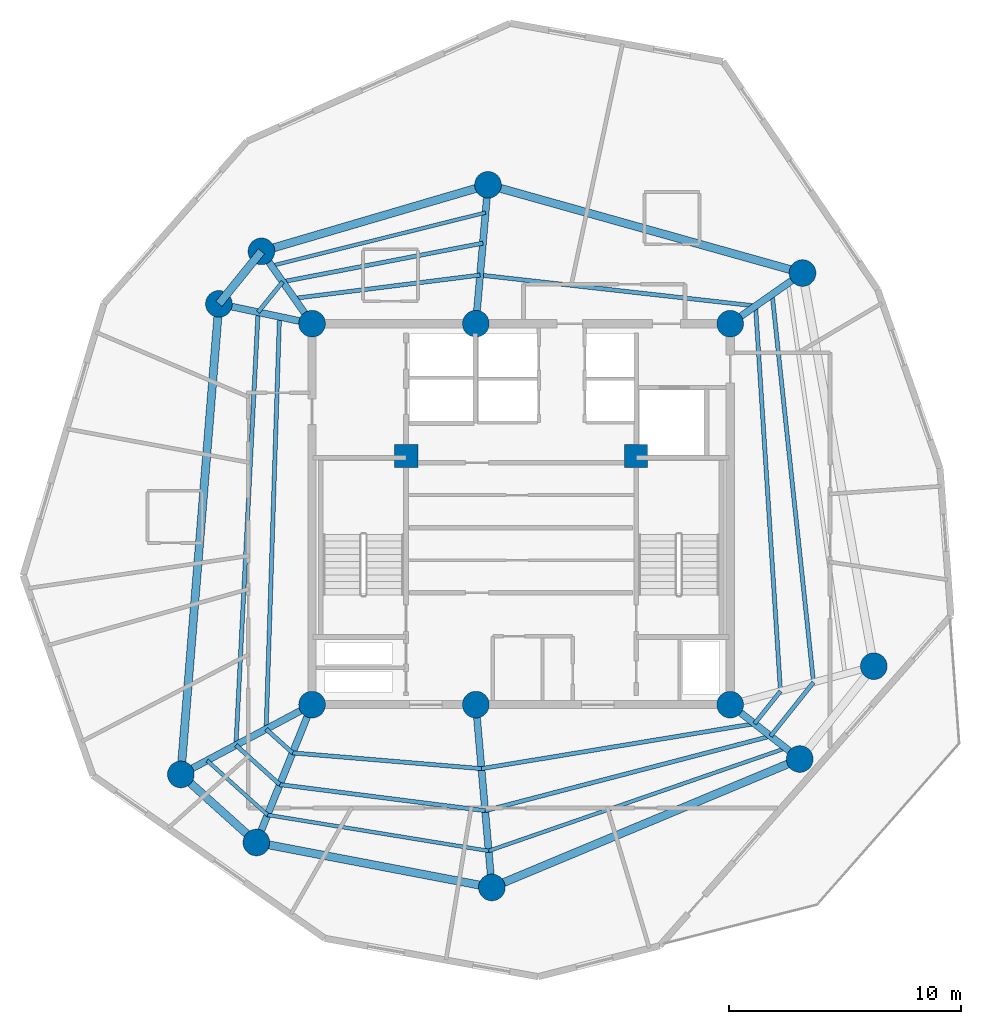
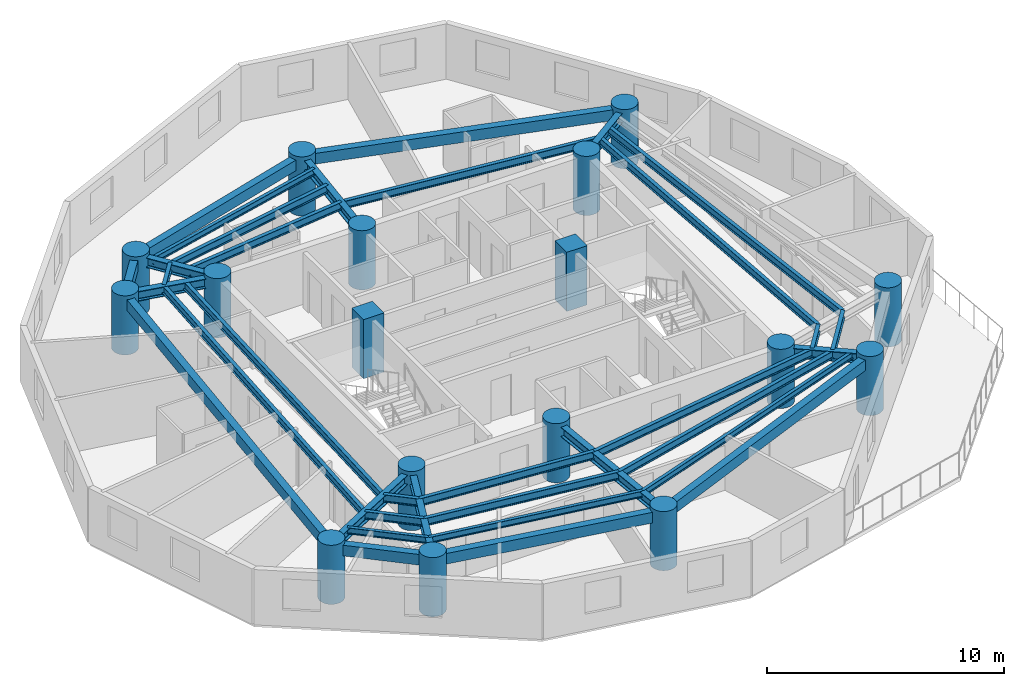
# One storey, part 1 of 7: 35 beams, 17 columns.
"""IFC4 building model written with IfcOpenShell, lengths in metres."""

from ifc_helpers import new_model, si_unit, direction, frame, origin, origin_with_axes, origin_2d, place, context, subcontext, project, spatial, rectangle, circle, i_section, extrude, source, transform, mapped, material, material_profile, profile_set, type_object, element, save


model = new_model("IFC4")

# Units and contexts
model_context = context("Model", 3, precision=1e-05, world=origin(), true_north=direction((0.0, 1.0)))
body_context = subcontext(model_context, "Body", "Model", "MODEL_VIEW")
ifc_project = project(units=[si_unit("LENGTHUNIT", "METRE"), si_unit("AREAUNIT", "SQUARE_METRE"), si_unit("VOLUMEUNIT", "CUBIC_METRE"), si_unit("PLANEANGLEUNIT", "RADIAN"), si_unit("MASSUNIT", "GRAM", prefix="KILO")], contexts=[model_context])

# Site, building, storey
site_placement = place(None, origin())
site = spatial("IfcSite", under=ifc_project, at=site_placement, CompositionType="ELEMENT")
building_placement = place(site_placement, origin())
building = spatial("IfcBuilding", under=site, at=building_placement, Name="Karkom Vertical University and Central Library", CompositionType="ELEMENT")
storey_placement = place(building_placement, frame((0.0, 0.0, 235.199951171875)))
storey = spatial("IfcBuildingStorey", under=building, at=storey_placement, Name="L69", CompositionType="ELEMENT", Elevation=235.199951171875)

# Columns
ifc_material_1 = material(Name="Concrete C50/60", Category="concrete")
ifc_material_profile_1 = material_profile(ifc_material_1, rectangle(XDim=1.0, YDim=1.0, at=origin_2d()), Name="RC-1000x1000")
ifc_profile_set_1 = profile_set([ifc_material_profile_1], Name="Concrete C50/60")
column_type_1 = type_object("IfcColumnType", Name="STR-COL-C-CC2", PredefinedType="COLUMN", material=ifc_profile_set_1)
shared_shape_1 = source(origin_with_axes(), body_context, "Body", "SweptSolid", [
    extrude(rectangle(XDim=1.0, YDim=1.0, at=origin_2d()), origin(), (0.0, 0.0, 1.0), 3.050048828125),
])
for number, where, z_axis, x_axis, name in (
    (1, (23.550048828125, 29.0, 0.0), (0.0, 0.0, 1.0), (1.0, 0.0, 0.0), "Level 69 Core Node Column CC-1"),
    (2, (33.449951171875, 29.0, 0.0), (0.0, 0.0, 1.0), (1.0, 0.0, 0.0), "Level 69 Core Node Column CC-2"),
):
    element("IfcColumn", number, at=place(storey_placement, frame(where, z_axis=z_axis, x_axis=x_axis)), inside=storey, type_object=column_type_1, Name=name, PredefinedType="COLUMN", context=body_context, shape_type="MappedRepresentation", body=[
        mapped(shared_shape_1, transform((0.0, 0.0, 0.0), scale=1.0)),
    ])
ifc_material_2 = material(Name="Concrete C45/55", Category="concrete")
ifc_material_profile_2 = material_profile(ifc_material_2, circle(Radius=0.574951171875, at=origin_2d()), Name="CFT-D1150")
ifc_profile_set_2 = profile_set([ifc_material_profile_2], Name="Concrete C45/55")
column_type_2 = type_object("IfcColumnType", Name="STR-COL-C-SC5", PredefinedType="COLUMN", material=ifc_profile_set_2)
shared_shape_2 = source(origin_with_axes(), body_context, "Body", "SweptSolid", [
    extrude(circle(Radius=0.574951171875, at=origin_2d()), origin(), (0.0, 0.0, 1.0), 3.050048828125),
])
for number, where, z_axis, x_axis, name in (
    (3, (19.5, 18.300048828125, 0.0), (0.0, 0.0, 1.0), (1.0, 0.0, 0.0), "Level 69 Spine Mega-Column SC-1"),
    (4, (26.550048828125, 18.300048828125, 0.0), (0.0, 0.0, 1.0), (1.0, 0.0, 0.0), "Level 69 Spine Mega-Column SC-2"),
    (5, (37.5, 18.300048828125, 0.0), (0.0, 0.0, 1.0), (1.0, 0.0, 0.0), "Level 69 Spine Mega-Column SC-3"),
    (6, (19.5, 34.699951171875, 0.0), (0.0, 0.0, 1.0), (1.0, 0.0, 0.0), "Level 69 Spine Mega-Column SC-4"),
    (7, (26.550048828125, 34.699951171875, 0.0), (0.0, 0.0, 1.0), (1.0, 0.0, 0.0), "Level 69 Spine Mega-Column SC-5"),
    (8, (37.5, 34.699951171875, 0.0), (0.0, 0.0, 1.0), (1.0, 0.0, 0.0), "Level 69 Spine Mega-Column SC-6"),
    (9, (43.681884765625, 19.9560546875, 0.0), (0.0, 0.0, 1.0), (1.0, 0.0, 0.0), "Level 69 Perimeter Mega-Column Z4-PC1"),
    (10, (40.613037109375, 36.8798828125, 0.0), (0.0, 0.0, 1.0), (1.0, 0.0, 0.0), "Level 69 Perimeter Mega-Column Z4-PC2"),
    (11, (27.072998046875, 40.677001953125, 0.0), (0.0, 0.0, 1.0), (1.0, 0.0, 0.0), "Level 69 Perimeter Mega-Column Z4-PC3"),
    (12, (17.320068359375, 37.81298828125, 0.0), (0.0, 0.0, 1.0), (1.0, 0.0, 0.0), "Level 69 Perimeter Mega-Column Z4-PC4"),
    (13, (15.489990234375, 35.552001953125, 0.0), (0.0, 0.0, 1.0), (1.0, 0.0, 0.0), "Level 69 Perimeter Mega-Column Z4-PC5"),
    (14, (13.84912109375, 15.294921875, 0.0), (0.0, 0.0, 1.0), (1.0, 0.0, 0.0), "Level 69 Perimeter Mega-Column Z4-PC6"),
    (15, (17.10302734375, 12.365966796875, 0.0), (0.0, 0.0, 1.0), (1.0, 0.0, 0.0), "Level 69 Perimeter Mega-Column Z4-PC7"),
    (16, (27.239013671875, 10.429931640625, 0.0), (0.0, 0.0, 1.0), (1.0, 0.0, 0.0), "Level 69 Perimeter Mega-Column Z4-PC8"),
    (17, (40.493896484375, 15.9599609375, 0.0), (0.0, 0.0, 1.0), (1.0, 0.0, 0.0), "Level 69 Perimeter Mega-Column Z4-PC9"),
):
    element("IfcColumn", number, at=place(storey_placement, frame(where, z_axis=z_axis, x_axis=x_axis)), inside=storey, type_object=column_type_2, Name=name, PredefinedType="COLUMN", context=body_context, shape_type="MappedRepresentation", body=[
        mapped(shared_shape_2, transform((0.0, 0.0, 0.0), scale=1.0)),
    ])

# Beams
ifc_material_3 = material(Name="Precast concrete C45/55", Category="concrete")
ifc_material_profile_3 = material_profile(ifc_material_3, rectangle(XDim=0.35009765625, YDim=0.550048828125, at=origin_2d()), Name="SPB-350x550")
ifc_profile_set_3 = profile_set([ifc_material_profile_3], Name="Precast concrete C45/55")
beam_type_1 = type_object("IfcBeamType", Name="STR-BM-SP-2", PredefinedType="SPANDREL", material=ifc_profile_set_3)
shared_shape_3 = source(origin_with_axes(), body_context, "Body", "SweptSolid", [
    extrude(rectangle(XDim=0.35009765625, YDim=0.550048828125, at=origin_2d()), origin(), (0.0, 0.0, 1.0), 14.0625),
])
beam_1_placement = place(storey_placement, frame((40.613037109375, 36.8798828125, 2.574951171875), z_axis=(-0.962854853531, 0.270019501207, 0.0), x_axis=(-0.270019501207, -0.962854853531, 0.0)))
element("IfcBeam", 18, at=beam_1_placement, inside=storey, type_object=beam_type_1, Name="Level 69 Perimeter Spandrel Beam 02", PredefinedType="SPANDREL", context=body_context, shape_type="MappedRepresentation", body=[
    mapped(shared_shape_3, transform((0.0, 0.0, 0.0), scale=1.0)),
])
shared_shape_4 = source(origin_with_axes(), body_context, "Body", "SweptSolid", [
    extrude(rectangle(XDim=0.35009765625, YDim=0.550048828125, at=origin_2d()), origin(), (0.0, 0.0, 1.0), 10.164794921875),
])
beam_2_placement = place(storey_placement, frame((27.072998046875, 40.677001953125, 2.574951171875), z_axis=(-0.959485124536, -0.281759286971, 0.0), x_axis=(0.281759286971, -0.959485124536, 0.0)))
element("IfcBeam", 19, at=beam_2_placement, inside=storey, type_object=beam_type_1, Name="Level 69 Perimeter Spandrel Beam 03", PredefinedType="SPANDREL", context=body_context, shape_type="MappedRepresentation", body=[
    mapped(shared_shape_4, transform((0.0, 0.0, 0.0), scale=1.0)),
])
shared_shape_5 = source(origin_with_axes(), body_context, "Body", "SweptSolid", [
    extrude(rectangle(XDim=0.35009765625, YDim=0.550048828125, at=origin_2d()), origin(), (0.0, 0.0, 1.0), 2.908935546875),
])
beam_3_placement = place(storey_placement, frame((17.320068359375, 37.81298828125, 2.574951171875), z_axis=(-0.629147523747, -0.777285914811, 0.0), x_axis=(0.777285914811, -0.629147523747, 0.0)))
element("IfcBeam", 20, at=beam_3_placement, inside=storey, type_object=beam_type_1, Name="Level 69 Perimeter Spandrel Beam 04", PredefinedType="SPANDREL", context=body_context, shape_type="MappedRepresentation", body=[
    mapped(shared_shape_5, transform((0.0, 0.0, 0.0), scale=1.0)),
])
shared_shape_6 = source(origin_with_axes(), body_context, "Body", "SweptSolid", [
    extrude(rectangle(XDim=0.35009765625, YDim=0.550048828125, at=origin_2d()), origin(), (0.0, 0.0, 1.0), 20.323486328125),
])
beam_4_placement = place(storey_placement, frame((15.489990234375, 35.552001953125, 2.574951171875), z_axis=(-0.080737811681, -0.996735373991, 0.0), x_axis=(0.996735373991, -0.080737811681, 0.0)))
element("IfcBeam", 21, at=beam_4_placement, inside=storey, type_object=beam_type_1, Name="Level 69 Perimeter Spandrel Beam 05", PredefinedType="SPANDREL", context=body_context, shape_type="MappedRepresentation", body=[
    mapped(shared_shape_6, transform((0.0, 0.0, 0.0), scale=1.0)),
])
shared_shape_7 = source(origin_with_axes(), body_context, "Body", "SweptSolid", [
    extrude(rectangle(XDim=0.35009765625, YDim=0.550048828125, at=origin_2d()), origin(), (0.0, 0.0, 1.0), 4.3779296875),
])
beam_5_placement = place(storey_placement, frame((13.84912109375, 15.294921875, 2.574951171875), z_axis=(0.743244232405, -0.669020187287, 0.0), x_axis=(0.669020187287, 0.743244232405, 0.0)))
element("IfcBeam", 22, at=beam_5_placement, inside=storey, type_object=beam_type_1, Name="Level 69 Perimeter Spandrel Beam 06", PredefinedType="SPANDREL", context=body_context, shape_type="MappedRepresentation", body=[
    mapped(shared_shape_7, transform((0.0, 0.0, 0.0), scale=1.0)),
])
shared_shape_8 = source(origin_with_axes(), body_context, "Body", "SweptSolid", [
    extrude(rectangle(XDim=0.35009765625, YDim=0.550048828125, at=origin_2d()), origin(), (0.0, 0.0, 1.0), 10.3193359375),
])
beam_6_placement = place(storey_placement, frame((17.10302734375, 12.365966796875, 2.574951171875), z_axis=(0.982242767385, -0.187614354249, 0.0), x_axis=(0.187614354249, 0.982242767385, 0.0)))
element("IfcBeam", 23, at=beam_6_placement, inside=storey, type_object=beam_type_1, Name="Level 69 Perimeter Spandrel Beam 07", PredefinedType="SPANDREL", context=body_context, shape_type="MappedRepresentation", body=[
    mapped(shared_shape_8, transform((0.0, 0.0, 0.0), scale=1.0)),
])
shared_shape_9 = source(origin_with_axes(), body_context, "Body", "SweptSolid", [
    extrude(rectangle(XDim=0.35009765625, YDim=0.550048828125, at=origin_2d()), origin(), (0.0, 0.0, 1.0), 14.3623046875),
])
beam_7_placement = place(storey_placement, frame((27.239013671875, 10.429931640625, 2.574951171875), z_axis=(0.922899796194, 0.385040213725, 0.0), x_axis=(-0.385040213725, 0.922899796194, 0.0)))
element("IfcBeam", 24, at=beam_7_placement, inside=storey, type_object=beam_type_1, Name="Level 69 Perimeter Spandrel Beam 08", PredefinedType="SPANDREL", context=body_context, shape_type="MappedRepresentation", body=[
    mapped(shared_shape_9, transform((0.0, 0.0, 0.0), scale=1.0)),
])
ifc_material_4 = material(Name="Steel S355", Category="steel")
ifc_material_profile_4 = material_profile(ifc_material_4, i_section(OverallWidth=0.179931640625, OverallDepth=0.39990234375, WebThickness=0.008544921875, FlangeThickness=0.013427734375, FilletRadius=0.02099609375, at=origin_2d()), Name="IPE 400")
ifc_profile_set_4 = profile_set([ifc_material_profile_4], Name="Steel S355")
beam_type_2 = type_object("IfcBeamType", Name="STR-BM-SB-IPE400", PredefinedType="BEAM", material=ifc_profile_set_4)
shared_shape_10 = source(origin_with_axes(), body_context, "Body", "SweptSolid", [
    extrude(i_section(OverallWidth=0.179931640625, OverallDepth=0.39990234375, WebThickness=0.008544921875, FlangeThickness=0.013427734375, FilletRadius=0.02099609375, at=origin_2d()), origin(), (0.0, 0.0, 1.0), 16.617919921875),
])
beam_8_placement = place(storey_placement, frame((39.663818359375, 18.879638671875, 2.650146484375), z_axis=(-0.064641848008, 0.997908528617, 0.0), x_axis=(-0.997908528617, -0.064641848008, 0.0)))
element("IfcBeam", 25, at=beam_8_placement, inside=storey, type_object=beam_type_2, Name="Level 69 Secondary Composite Floor Beam 1.01", PredefinedType="BEAM", context=body_context, shape_type="MappedRepresentation", body=[
    mapped(shared_shape_10, transform((0.0, 0.0, 0.0), scale=1.0)),
])
shared_shape_11 = source(origin_with_axes(), body_context, "Body", "SweptSolid", [
    extrude(i_section(OverallWidth=0.179931640625, OverallDepth=0.39990234375, WebThickness=0.008544921875, FlangeThickness=0.013427734375, FilletRadius=0.02099609375, at=origin_2d()), origin(), (0.0, 0.0, 1.0), 11.9306640625),
])
beam_9_placement = place(storey_placement, frame((38.589599609375, 35.462890625, 2.650146484375), z_axis=(-0.993775454886, 0.11140172919, 0.0), x_axis=(-0.11140172919, -0.993775454886, 0.0)))
element("IfcBeam", 26, at=beam_9_placement, inside=storey, type_object=beam_type_2, Name="Level 69 Secondary Composite Floor Beam 1.02", PredefinedType="BEAM", context=body_context, shape_type="MappedRepresentation", body=[
    mapped(shared_shape_11, transform((0.0, 0.0, 0.0), scale=1.0)),
])
shared_shape_12 = source(origin_with_axes(), body_context, "Body", "SweptSolid", [
    extrude(i_section(OverallWidth=0.179931640625, OverallDepth=0.39990234375, WebThickness=0.008544921875, FlangeThickness=0.013427734375, FilletRadius=0.02099609375, at=origin_2d()), origin(), (0.0, 0.0, 1.0), 8.05859375),
])
beam_10_placement = place(storey_placement, frame((26.733154296875, 36.7919921875, 2.650146484375), z_axis=(-0.99223306826, -0.124392677646, 0.0), x_axis=(0.124392677646, -0.99223306826, 0.0)))
element("IfcBeam", 27, at=beam_10_placement, inside=storey, type_object=beam_type_2, Name="Level 69 Secondary Composite Floor Beam 1.03", PredefinedType="BEAM", context=body_context, shape_type="MappedRepresentation", body=[
    mapped(shared_shape_12, transform((0.0, 0.0, 0.0), scale=1.0)),
])
shared_shape_13 = source(origin_with_axes(), body_context, "Body", "SweptSolid", [
    extrude(i_section(OverallWidth=0.179931640625, OverallDepth=0.39990234375, WebThickness=0.008544921875, FlangeThickness=0.013427734375, FilletRadius=0.02099609375, at=origin_2d()), origin(), (0.0, 0.0, 1.0), 17.75927734375),
])
beam_11_placement = place(storey_placement, frame((18.096435546875, 34.998291015625, 2.650146484375), z_axis=(-0.032333437334, -0.999477137723, 0.0), x_axis=(0.999477137723, -0.032333437334, 0.0)))
element("IfcBeam", 28, at=beam_11_placement, inside=storey, type_object=beam_type_2, Name="Level 69 Secondary Composite Floor Beam 1.05", PredefinedType="BEAM", context=body_context, shape_type="MappedRepresentation", body=[
    mapped(shared_shape_13, transform((0.0, 0.0, 0.0), scale=1.0)),
])
shared_shape_14 = source(origin_with_axes(), body_context, "Body", "SweptSolid", [
    extrude(i_section(OverallWidth=0.179931640625, OverallDepth=0.39990234375, WebThickness=0.008544921875, FlangeThickness=0.013427734375, FilletRadius=0.02099609375, at=origin_2d()), origin(), (0.0, 0.0, 1.0), 1.5322265625),
])
beam_12_placement = place(storey_placement, frame((17.522216796875, 17.248291015625, 2.650146484375), z_axis=(0.743183211059, -0.669087972392, 0.0), x_axis=(0.669087972392, 0.743183211059, 0.0)))
element("IfcBeam", 29, at=beam_12_placement, inside=storey, type_object=beam_type_2, Name="Level 69 Secondary Composite Floor Beam 1.06", PredefinedType="BEAM", context=body_context, shape_type="MappedRepresentation", body=[
    mapped(shared_shape_14, transform((0.0, 0.0, 0.0), scale=1.0)),
])
shared_shape_15 = source(origin_with_axes(), body_context, "Body", "SweptSolid", [
    extrude(i_section(OverallWidth=0.179931640625, OverallDepth=0.39990234375, WebThickness=0.008544921875, FlangeThickness=0.013427734375, FilletRadius=0.02099609375, at=origin_2d()), origin(), (0.0, 0.0, 1.0), 8.15869140625),
])
beam_13_placement = place(storey_placement, frame((18.660888671875, 16.22314453125, 2.650146484375), z_axis=(0.996543694183, -0.083070244882, 0.0), x_axis=(0.083070244882, 0.996543694183, 0.0)))
element("IfcBeam", 30, at=beam_13_placement, inside=storey, type_object=beam_type_2, Name="Level 69 Secondary Composite Floor Beam 1.07", PredefinedType="BEAM", context=body_context, shape_type="MappedRepresentation", body=[
    mapped(shared_shape_15, transform((0.0, 0.0, 0.0), scale=1.0)),
])
shared_shape_16 = source(origin_with_axes(), body_context, "Body", "SweptSolid", [
    extrude(i_section(OverallWidth=0.179931640625, OverallDepth=0.39990234375, WebThickness=0.008544921875, FlangeThickness=0.013427734375, FilletRadius=0.02099609375, at=origin_2d()), origin(), (0.0, 0.0, 1.0), 11.914794921875),
])
beam_14_placement = place(storey_placement, frame((26.791259765625, 15.54541015625, 2.650146484375), z_axis=(0.986717073469, 0.162448197663, 0.0), x_axis=(-0.162448197663, 0.986717073469, 0.0)))
element("IfcBeam", 31, at=beam_14_placement, inside=storey, type_object=beam_type_2, Name="Level 69 Secondary Composite Floor Beam 1.08", PredefinedType="BEAM", context=body_context, shape_type="MappedRepresentation", body=[
    mapped(shared_shape_16, transform((0.0, 0.0, 0.0), scale=1.0)),
])
shared_shape_17 = source(origin_with_axes(), body_context, "Body", "SweptSolid", [
    extrude(i_section(OverallWidth=0.179931640625, OverallDepth=0.39990234375, WebThickness=0.008544921875, FlangeThickness=0.013427734375, FilletRadius=0.02099609375, at=origin_2d()), origin(), (0.0, 0.0, 1.0), 1.789306640625),
])
beam_15_placement = place(storey_placement, frame((38.5478515625, 17.48095703125, 2.650146484375), z_axis=(0.623679519349, 0.781680150154, 0.0), x_axis=(-0.781680150154, 0.623679519349, 0.0)))
element("IfcBeam", 32, at=beam_15_placement, inside=storey, type_object=beam_type_2, Name="Level 69 Secondary Composite Floor Beam 1.09", PredefinedType="BEAM", context=body_context, shape_type="MappedRepresentation", body=[
    mapped(shared_shape_17, transform((0.0, 0.0, 0.0), scale=1.0)),
])
shared_shape_18 = source(origin_with_axes(), body_context, "Body", "SweptSolid", [
    extrude(i_section(OverallWidth=0.179931640625, OverallDepth=0.39990234375, WebThickness=0.008544921875, FlangeThickness=0.013427734375, FilletRadius=0.02099609375, at=origin_2d()), origin(), (0.0, 0.0, 1.0), 16.79833984375),
])
beam_16_placement = place(storey_placement, frame((41.085693359375, 19.260498046875, 2.650146484375), z_axis=(-0.105978377704, 0.994368434464, 0.0), x_axis=(-0.994368434464, -0.105978377704, 0.0)))
element("IfcBeam", 33, at=beam_16_placement, inside=storey, type_object=beam_type_2, Name="Level 69 Secondary Composite Floor Beam 2.01", PredefinedType="BEAM", context=body_context, shape_type="MappedRepresentation", body=[
    mapped(shared_shape_18, transform((0.0, 0.0, 0.0), scale=1.0)),
])
shared_shape_19 = source(origin_with_axes(), body_context, "Body", "SweptSolid", [
    extrude(i_section(OverallWidth=0.179931640625, OverallDepth=0.39990234375, WebThickness=0.008544921875, FlangeThickness=0.013427734375, FilletRadius=0.02099609375, at=origin_2d()), origin(), (0.0, 0.0, 1.0), 8.7763671875),
])
beam_17_placement = place(storey_placement, frame((26.853271484375, 38.166748046875, 2.650146484375), z_axis=(-0.981924209256, -0.189274528862, 0.0), x_axis=(0.189274528862, -0.981924209256, 0.0)))
element("IfcBeam", 34, at=beam_17_placement, inside=storey, type_object=beam_type_2, Name="Level 69 Secondary Composite Floor Beam 2.03", PredefinedType="BEAM", context=body_context, shape_type="MappedRepresentation", body=[
    mapped(shared_shape_19, transform((0.0, 0.0, 0.0), scale=1.0)),
])
shared_shape_20 = source(origin_with_axes(), body_context, "Body", "SweptSolid", [
    extrude(i_section(OverallWidth=0.179931640625, OverallDepth=0.39990234375, WebThickness=0.008544921875, FlangeThickness=0.013427734375, FilletRadius=0.02099609375, at=origin_2d()), origin(), (0.0, 0.0, 1.0), 1.68701171875),
])
beam_18_placement = place(storey_placement, frame((18.235595703125, 36.505615234375, 2.650146484375), z_axis=(-0.629044191861, -0.777369541908, 0.0), x_axis=(0.777369541908, -0.629044191861, 0.0)))
element("IfcBeam", 35, at=beam_18_placement, inside=storey, type_object=beam_type_2, Name="Level 69 Secondary Composite Floor Beam 2.04", PredefinedType="BEAM", context=body_context, shape_type="MappedRepresentation", body=[
    mapped(shared_shape_20, transform((0.0, 0.0, 0.0), scale=1.0)),
])
shared_shape_21 = source(origin_with_axes(), body_context, "Body", "SweptSolid", [
    extrude(i_section(OverallWidth=0.179931640625, OverallDepth=0.39990234375, WebThickness=0.008544921875, FlangeThickness=0.013427734375, FilletRadius=0.02099609375, at=origin_2d()), origin(), (0.0, 0.0, 1.0), 18.661376953125),
])
beam_19_placement = place(storey_placement, frame((17.17431640625, 35.194091796875, 2.650146484375), z_axis=(-0.051009656211, -0.998698160093, 0.0), x_axis=(0.998698160093, -0.051009656211, 0.0)))
element("IfcBeam", 36, at=beam_19_placement, inside=storey, type_object=beam_type_2, Name="Level 69 Secondary Composite Floor Beam 2.05", PredefinedType="BEAM", context=body_context, shape_type="MappedRepresentation", body=[
    mapped(shared_shape_21, transform((0.0, 0.0, 0.0), scale=1.0)),
])
shared_shape_22 = source(origin_with_axes(), body_context, "Body", "SweptSolid", [
    extrude(i_section(OverallWidth=0.179931640625, OverallDepth=0.39990234375, WebThickness=0.008544921875, FlangeThickness=0.013427734375, FilletRadius=0.02099609375, at=origin_2d()), origin(), (0.0, 0.0, 1.0), 2.5390625),
])
beam_20_placement = place(storey_placement, frame((16.222412109375, 16.55712890625, 2.650146484375), z_axis=(0.743246334517, -0.669017851949, 0.0), x_axis=(0.669017851949, 0.743246334517, 0.0)))
element("IfcBeam", 37, at=beam_20_placement, inside=storey, type_object=beam_type_2, Name="Level 69 Secondary Composite Floor Beam 2.06", PredefinedType="BEAM", context=body_context, shape_type="MappedRepresentation", body=[
    mapped(shared_shape_22, transform((0.0, 0.0, 0.0), scale=1.0)),
])
shared_shape_23 = source(origin_with_axes(), body_context, "Body", "SweptSolid", [
    extrude(i_section(OverallWidth=0.179931640625, OverallDepth=0.39990234375, WebThickness=0.008544921875, FlangeThickness=0.013427734375, FilletRadius=0.02099609375, at=origin_2d()), origin(), (0.0, 0.0, 1.0), 8.9111328125),
])
beam_21_placement = place(storey_placement, frame((18.109619140625, 14.8583984375, 2.650146484375), z_axis=(0.992026771403, -0.126027317751, 0.0), x_axis=(0.126027317751, 0.992026771403, 0.0)))
element("IfcBeam", 38, at=beam_21_placement, inside=storey, type_object=beam_type_2, Name="Level 69 Secondary Composite Floor Beam 2.07", PredefinedType="BEAM", context=body_context, shape_type="MappedRepresentation", body=[
    mapped(shared_shape_23, transform((0.0, 0.0, 0.0), scale=1.0)),
])
shared_shape_24 = source(origin_with_axes(), body_context, "Body", "SweptSolid", [
    extrude(i_section(OverallWidth=0.179931640625, OverallDepth=0.39990234375, WebThickness=0.008544921875, FlangeThickness=0.013427734375, FilletRadius=0.02099609375, at=origin_2d()), origin(), (0.0, 0.0, 1.0), 12.69873046875),
])
beam_22_placement = place(storey_placement, frame((26.94970703125, 13.7353515625, 2.650146484375), z_axis=(0.967573974729, 0.252587813301, 0.0), x_axis=(-0.252587813301, 0.967573974729, 0.0)))
element("IfcBeam", 39, at=beam_22_placement, inside=storey, type_object=beam_type_2, Name="Level 69 Secondary Composite Floor Beam 2.08", PredefinedType="BEAM", context=body_context, shape_type="MappedRepresentation", body=[
    mapped(shared_shape_24, transform((0.0, 0.0, 0.0), scale=1.0)),
])
shared_shape_25 = source(origin_with_axes(), body_context, "Body", "SweptSolid", [
    extrude(i_section(OverallWidth=0.179931640625, OverallDepth=0.39990234375, WebThickness=0.008544921875, FlangeThickness=0.013427734375, FilletRadius=0.02099609375, at=origin_2d()), origin(), (0.0, 0.0, 1.0), 2.96484375),
])
beam_23_placement = place(storey_placement, frame((39.236572265625, 16.94287109375, 2.650146484375), z_axis=(0.623670236397, 0.781687556657, 0.0), x_axis=(-0.781687556657, 0.623670236397, 0.0)))
element("IfcBeam", 40, at=beam_23_placement, inside=storey, type_object=beam_type_2, Name="Level 69 Secondary Composite Floor Beam 2.09", PredefinedType="BEAM", context=body_context, shape_type="MappedRepresentation", body=[
    mapped(shared_shape_25, transform((0.0, 0.0, 0.0), scale=1.0)),
])
ifc_material_profile_5 = material_profile(ifc_material_4, i_section(OverallWidth=0.159912109375, OverallDepth=0.330078125, WebThickness=0.007568359375, FlangeThickness=0.011474609375, FilletRadius=0.01806640625, at=origin_2d()), Name="IPE 330")
ifc_profile_set_5 = profile_set([ifc_material_profile_5], Name="Steel S355")
beam_type_3 = type_object("IfcBeamType", Name="STR-BM-SB-IPE330", PredefinedType="BEAM", material=ifc_profile_set_5)
shared_shape_26 = source(origin_with_axes(), body_context, "Body", "SweptSolid", [
    extrude(i_section(OverallWidth=0.159912109375, OverallDepth=0.330078125, WebThickness=0.007568359375, FlangeThickness=0.011474609375, FilletRadius=0.01806640625, at=origin_2d()), origin(), (0.0, 0.0, 1.0), 9.4931640625),
])
beam_24_placement = place(storey_placement, frame((26.968505859375, 39.481689453125, 2.68505859375), z_axis=(-0.970435275293, -0.241361505767, 0.0), x_axis=(0.241361505767, -0.970435275293, 0.0)))
element("IfcBeam", 41, at=beam_24_placement, inside=storey, type_object=beam_type_3, Name="Level 69 Secondary Composite Floor Beam 3.03", PredefinedType="BEAM", context=body_context, shape_type="MappedRepresentation", body=[
    mapped(shared_shape_26, transform((0.0, 0.0, 0.0), scale=1.0)),
])
shared_shape_27 = source(origin_with_axes(), body_context, "Body", "SweptSolid", [
    extrude(i_section(OverallWidth=0.159912109375, OverallDepth=0.330078125, WebThickness=0.007568359375, FlangeThickness=0.011474609375, FilletRadius=0.01806640625, at=origin_2d()), origin(), (0.0, 0.0, 1.0), 3.50244140625),
])
beam_25_placement = place(storey_placement, frame((14.979248046875, 15.89599609375, 2.68505859375), z_axis=(0.743249087562, -0.669014793437, 0.0), x_axis=(0.669014793437, 0.743249087562, 0.0)))
element("IfcBeam", 42, at=beam_25_placement, inside=storey, type_object=beam_type_3, Name="Level 69 Secondary Composite Floor Beam 3.06", PredefinedType="BEAM", context=body_context, shape_type="MappedRepresentation", body=[
    mapped(shared_shape_27, transform((0.0, 0.0, 0.0), scale=1.0)),
])
shared_shape_28 = source(origin_with_axes(), body_context, "Body", "SweptSolid", [
    extrude(i_section(OverallWidth=0.159912109375, OverallDepth=0.330078125, WebThickness=0.007568359375, FlangeThickness=0.011474609375, FilletRadius=0.01806640625, at=origin_2d()), origin(), (0.0, 0.0, 1.0), 9.64404296875),
])
beam_26_placement = place(storey_placement, frame((17.58251953125, 13.552734375, 2.68505859375), z_axis=(0.987019497924, -0.160600469231, 0.0), x_axis=(0.160600469231, 0.987019497924, 0.0)))
element("IfcBeam", 43, at=beam_26_placement, inside=storey, type_object=beam_type_3, Name="Level 69 Secondary Composite Floor Beam 3.07", PredefinedType="BEAM", context=body_context, shape_type="MappedRepresentation", body=[
    mapped(shared_shape_28, transform((0.0, 0.0, 0.0), scale=1.0)),
])
shared_shape_29 = source(origin_with_axes(), body_context, "Body", "SweptSolid", [
    extrude(i_section(OverallWidth=0.159912109375, OverallDepth=0.330078125, WebThickness=0.007568359375, FlangeThickness=0.011474609375, FilletRadius=0.01806640625, at=origin_2d()), origin(), (0.0, 0.0, 1.0), 13.537353515625),
])
beam_27_placement = place(storey_placement, frame((27.101318359375, 12.00390625, 2.68505859375), z_axis=(0.945091088216, 0.32680703018, 0.0), x_axis=(-0.32680703018, 0.945091088216, 0.0)))
element("IfcBeam", 44, at=beam_27_placement, inside=storey, type_object=beam_type_3, Name="Level 69 Secondary Composite Floor Beam 3.08", PredefinedType="BEAM", context=body_context, shape_type="MappedRepresentation", body=[
    mapped(shared_shape_29, transform((0.0, 0.0, 0.0), scale=1.0)),
])
ifc_material_profile_6 = material_profile(ifc_material_4, i_section(OverallWidth=0.300048828125, OverallDepth=0.5, WebThickness=0.014404296875, FlangeThickness=0.028076171875, FilletRadius=0.027099609375, at=origin_2d()), Name="HE 500 B")
ifc_profile_set_6 = profile_set([ifc_material_profile_6], Name="Steel S355")
beam_type_4 = type_object("IfcBeamType", Name="STR-BM-SB-HE500", PredefinedType="USERDEFINED", material=ifc_profile_set_6)
shared_shape_30 = source(origin_with_axes(), body_context, "Body", "SweptSolid", [
    extrude(i_section(OverallWidth=0.300048828125, OverallDepth=0.5, WebThickness=0.014404296875, FlangeThickness=0.028076171875, FilletRadius=0.027099609375, at=origin_2d()), origin(), (0.0, 0.0, 1.0), 6.39990234375),
])
beam_28_placement = place(storey_placement, frame((19.5, 18.300048828125, 2.60009765625), z_axis=(-0.374532429749, -0.927213815183, 0.0), x_axis=(0.927213815183, -0.374532429749, 0.0)))
element("IfcBeam", 45, at=beam_28_placement, inside=storey, type_object=beam_type_4, Name="Level 69 Radial Frame Girder 07", ObjectType="GIRDER", PredefinedType="USERDEFINED", context=body_context, shape_type="MappedRepresentation", body=[
    mapped(shared_shape_30, transform((0.0, 0.0, 0.0), scale=1.0)),
])
shared_shape_31 = source(origin_with_axes(), body_context, "Body", "SweptSolid", [
    extrude(i_section(OverallWidth=0.300048828125, OverallDepth=0.5, WebThickness=0.014404296875, FlangeThickness=0.028076171875, FilletRadius=0.027099609375, at=origin_2d()), origin(), (0.0, 0.0, 1.0), 3.80029296875),
])
for number, where, z_axis, x_axis, name in (
    (46, (37.5, 34.699951171875, 2.60009765625), (0.819132313625, 0.573604613627, 0.0), (-0.573604613627, 0.819132313625, 0.0), "Level 69 Radial Frame Girder 02"),
    (47, (19.5, 34.699951171875, 2.60009765625), (-0.573604613627, 0.819132313625, 0.0), (-0.819132313625, -0.573604613627, 0.0), "Level 69 Radial Frame Girder 04"),
):
    element("IfcBeam", number, at=place(storey_placement, frame(where, z_axis=z_axis, x_axis=x_axis)), inside=storey, type_object=beam_type_4, Name=name, ObjectType="GIRDER", PredefinedType="USERDEFINED", context=body_context, shape_type="MappedRepresentation", body=[
        mapped(shared_shape_31, transform((0.0, 0.0, 0.0), scale=1.0)),
    ])
shared_shape_32 = source(origin_with_axes(), body_context, "Body", "SweptSolid", [
    extrude(i_section(OverallWidth=0.300048828125, OverallDepth=0.5, WebThickness=0.014404296875, FlangeThickness=0.028076171875, FilletRadius=0.027099609375, at=origin_2d()), origin(), (0.0, 0.0, 1.0), 6.0),
])
beam_29_placement = place(storey_placement, frame((26.550048828125, 34.699951171875, 2.60009765625), z_axis=(0.087159883478, 0.996194335816, 0.0), x_axis=(-0.996194335816, 0.087159883478, 0.0)))
element("IfcBeam", 48, at=beam_29_placement, inside=storey, type_object=beam_type_4, Name="Level 69 Radial Frame Girder 03", ObjectType="GIRDER", PredefinedType="USERDEFINED", context=body_context, shape_type="MappedRepresentation", body=[
    mapped(shared_shape_32, transform((0.0, 0.0, 0.0), scale=1.0)),
])
shared_shape_33 = source(origin_with_axes(), body_context, "Body", "SweptSolid", [
    extrude(i_section(OverallWidth=0.300048828125, OverallDepth=0.5, WebThickness=0.014404296875, FlangeThickness=0.028076171875, FilletRadius=0.027099609375, at=origin_2d()), origin(), (0.0, 0.0, 1.0), 4.099609375),
])
beam_30_placement = place(storey_placement, frame((19.5, 34.699951171875, 2.60009765625), z_axis=(-0.978162634602, 0.207840949453, 0.0), x_axis=(-0.207840949453, -0.978162634602, 0.0)))
element("IfcBeam", 49, at=beam_30_placement, inside=storey, type_object=beam_type_4, Name="Level 69 Radial Frame Girder 05", ObjectType="GIRDER", PredefinedType="USERDEFINED", context=body_context, shape_type="MappedRepresentation", body=[
    mapped(shared_shape_33, transform((0.0, 0.0, 0.0), scale=1.0)),
])
shared_shape_34 = source(origin_with_axes(), body_context, "Body", "SweptSolid", [
    extrude(i_section(OverallWidth=0.300048828125, OverallDepth=0.5, WebThickness=0.014404296875, FlangeThickness=0.028076171875, FilletRadius=0.027099609375, at=origin_2d()), origin(), (0.0, 0.0, 1.0), 6.400146484375),
])
beam_31_placement = place(storey_placement, frame((19.5, 18.300048828125, 2.60009765625), z_axis=(-0.882915120857, -0.469532628645, 0.0), x_axis=(0.469532628645, -0.882915120857, 0.0)))
element("IfcBeam", 50, at=beam_31_placement, inside=storey, type_object=beam_type_4, Name="Level 69 Radial Frame Girder 06", ObjectType="GIRDER", PredefinedType="USERDEFINED", context=body_context, shape_type="MappedRepresentation", body=[
    mapped(shared_shape_34, transform((0.0, 0.0, 0.0), scale=1.0)),
])
shared_shape_35 = source(origin_with_axes(), body_context, "Body", "SweptSolid", [
    extrude(i_section(OverallWidth=0.300048828125, OverallDepth=0.5, WebThickness=0.014404296875, FlangeThickness=0.028076171875, FilletRadius=0.027099609375, at=origin_2d()), origin(), (0.0, 0.0, 1.0), 7.900146484375),
])
beam_32_placement = place(storey_placement, frame((26.550048828125, 18.300048828125, 2.60009765625), z_axis=(0.087208352312, -0.996190093951, 0.0), x_axis=(0.996190093951, 0.087208352312, 0.0)))
element("IfcBeam", 51, at=beam_32_placement, inside=storey, type_object=beam_type_4, Name="Level 69 Radial Frame Girder 08", ObjectType="GIRDER", PredefinedType="USERDEFINED", context=body_context, shape_type="MappedRepresentation", body=[
    mapped(shared_shape_35, transform((0.0, 0.0, 0.0), scale=1.0)),
])
shared_shape_36 = source(origin_with_axes(), body_context, "Body", "SweptSolid", [
    extrude(i_section(OverallWidth=0.300048828125, OverallDepth=0.5, WebThickness=0.014404296875, FlangeThickness=0.028076171875, FilletRadius=0.027099609375, at=origin_2d()), origin(), (0.0, 0.0, 1.0), 3.7998046875),
])
beam_33_placement = place(storey_placement, frame((37.5, 18.300048828125, 2.60009765625), z_axis=(0.787883114707, -0.61582481077, 0.0), x_axis=(0.61582481077, 0.787883114707, 0.0)))
element("IfcBeam", 52, at=beam_33_placement, inside=storey, type_object=beam_type_4, Name="Level 69 Radial Frame Girder 09", ObjectType="GIRDER", PredefinedType="USERDEFINED", context=body_context, shape_type="MappedRepresentation", body=[
    mapped(shared_shape_36, transform((0.0, 0.0, 0.0), scale=1.0)),
])

save(model, "model.ifc")
